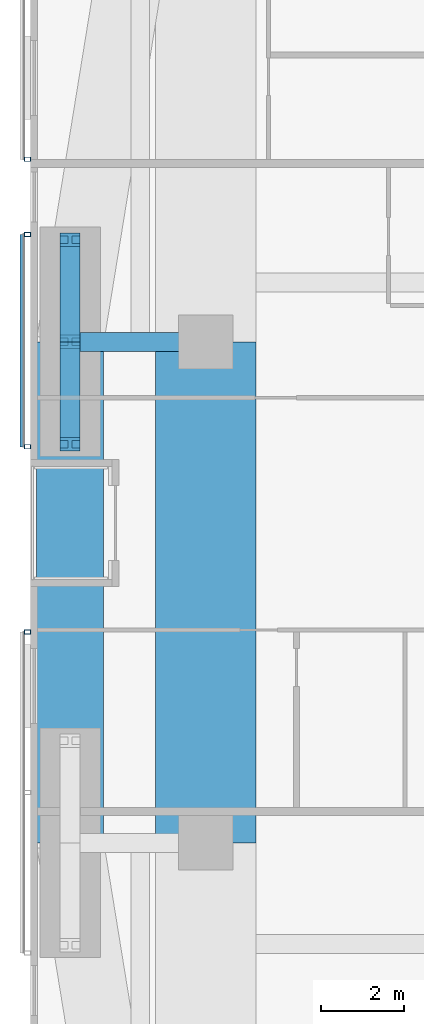
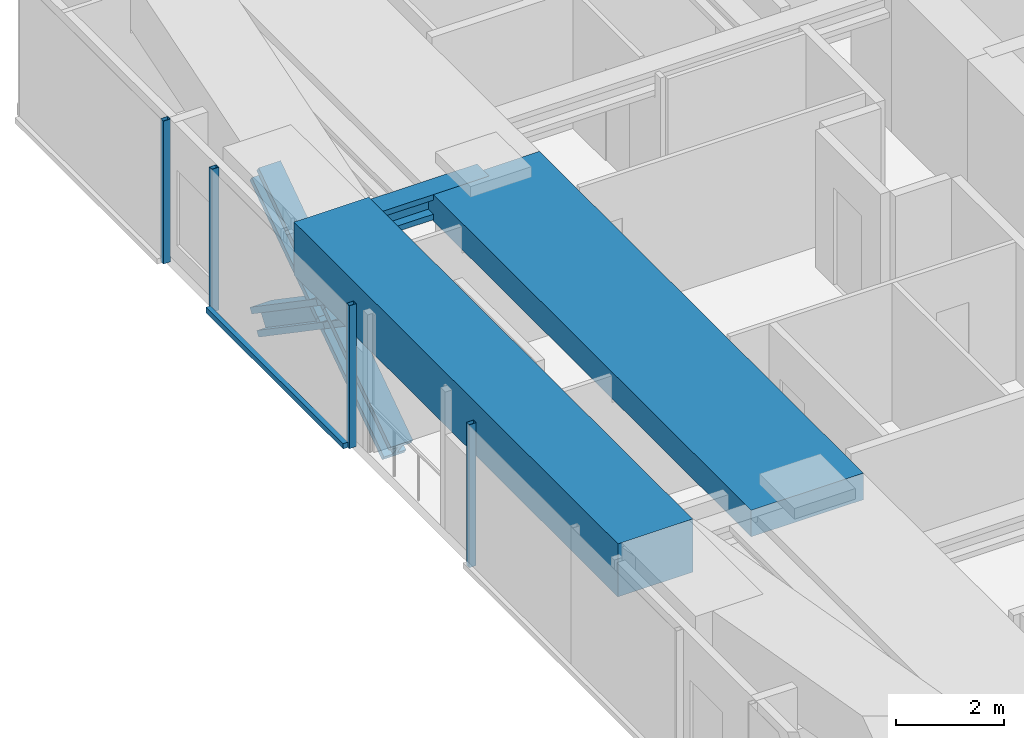
# One storey, part 7 of 25: 9 members, 3 beams, 3 elements without a shape of their own.
"""IFC4 building model written with IfcOpenShell, lengths in metres."""

from ifc_helpers import new_model, si_unit, direction, frame, origin, origin_2d, place, context, subcontext, project, spatial, rectangle, hollow_rectangle, i_section, extrude, material, material_profile, profile_set, type_object, element, aggregate, save


model = new_model("IFC4")

# Units and contexts
model_context = context("Model", 3, precision=1e-05, world=origin(), true_north=direction((0.0, 1.0)))
body_context = subcontext(model_context, "Body", "Model", "MODEL_VIEW")
ifc_project = project(units=[si_unit("LENGTHUNIT", "METRE"), si_unit("AREAUNIT", "SQUARE_METRE"), si_unit("VOLUMEUNIT", "CUBIC_METRE"), si_unit("PLANEANGLEUNIT", "RADIAN"), si_unit("MASSUNIT", "GRAM", prefix="KILO")], contexts=[model_context])

# Site, building, storey
site_placement = place(None, origin())
site = spatial("IfcSite", under=ifc_project, at=site_placement, CompositionType="ELEMENT")
building_placement = place(site_placement, origin())
building = spatial("IfcBuilding", under=site, at=building_placement, Name="Jalousie Tower", CompositionType="ELEMENT")
storey_placement = place(building_placement, frame((0.0, 0.0, 98.14990234375)))
storey = spatial("IfcBuildingStorey", under=building, at=storey_placement, Name="L26", CompositionType="ELEMENT", Elevation=98.14990234375)

# Beam
ifc_material_1 = material(Name="Steel ASTM A992 Grade 50", Category="steel")
ifc_material_profile_1 = material_profile(ifc_material_1, i_section(OverallWidth=0.45458984375, OverallDepth=0.569091796875, WebThickness=0.077880859375, FlangeThickness=0.124755859375, at=origin_2d()), Name="W14X730")
ifc_profile_set_1 = profile_set([ifc_material_profile_1], Name="Steel ASTM A992 Grade 50")
beam_type_1 = type_object("IfcBeamType", Name="LEAN COLLECTOR W14X730", PredefinedType="BEAM", material=ifc_profile_set_1)
beam_1_placement = place(storey_placement, frame((6.949951171875, 25.0, 2.82568359375), z_axis=(1.0, 0.0, 0.0), x_axis=(0.0, 1.0, 0.0)))
element("IfcBeam", 1, at=beam_1_placement, inside=storey, type_object=beam_type_1, Name="Lean collector under L27", PredefinedType="BEAM", context=body_context, shape_type="SweptSolid", body=[
    extrude(i_section(OverallWidth=0.45458984375, OverallDepth=0.569091796875, WebThickness=0.077880859375, FlangeThickness=0.124755859375, at=origin_2d()), origin(), (0.0, 0.0, 1.0), 3.25),
])

# Members
ifc_material_2 = material(Name="Steel ASTM A992 Grade 50", Category="steel")
ifc_material_profile_2 = material_profile(ifc_material_2, i_section(OverallWidth=0.472412109375, OverallDepth=0.5791015625, WebThickness=0.094970703125, FlangeThickness=0.1298828125, at=origin_2d()), Name="W14X808")
ifc_profile_set_2 = profile_set([ifc_material_profile_2], Name="Steel ASTM A992 Grade 50")
member_type_1 = type_object("IfcMemberType", Name="PERIMETER BRACE W14X808", PredefinedType="BRACE", material=ifc_profile_set_2)
for number, where, z_axis, x_axis, name in (
    (2, (6.949951171875, 22.550048828125, -0.599853515625), (0.0, 0.825500916831, 0.564400776321), (-1.0, 0.0, 0.0), "Perimeter brace 13 L26 part 1"),
    (3, (6.949951171875, 25.0, 1.0751953125), (0.0, 0.825539243753, 0.564344714713), (-1.0, 0.0, 0.0), "Perimeter brace 13 L26 part 2"),
    (4, (6.949951171875, 27.449951171875, -0.599853515625), (0.0, -0.825500916831, 0.564400776321), (1.0, 0.0, 0.0), "Perimeter brace 13 L26 part 3"),
    (5, (6.949951171875, 25.0, 1.0751953125), (0.0, -0.825539243753, 0.564344714713), (1.0, 0.0, 0.0), "Perimeter brace 13 L26 part 4"),
):
    element("IfcMember", number, at=place(storey_placement, frame(where, z_axis=z_axis, x_axis=x_axis)), inside=storey, type_object=member_type_1, Name=name, PredefinedType="BRACE", context=body_context, shape_type="SweptSolid", body=[
        extrude(i_section(OverallWidth=0.472412109375, OverallDepth=0.5791015625, WebThickness=0.094970703125, FlangeThickness=0.1298828125, at=origin_2d()), origin(), (0.0, 0.0, 1.0), 2.9677734375),
    ])

# Beams
ifc_material_3 = material(Name="Concrete f'c 40 MPa", Category="concrete")
ifc_material_profile_3 = material_profile(ifc_material_3, rectangle(XDim=1.60009765625, YDim=1.199951171875, at=origin_2d()), Name="RC 1600x1200")
ifc_profile_set_3 = profile_set([ifc_material_profile_3], Name="Concrete f'c 40 MPa")
beam_type_2 = type_object("IfcBeamType", Name="RC BEAM 1600x1200", PredefinedType="BEAM", material=ifc_profile_set_3)
beam_2_placement = place(storey_placement, frame((6.949951171875, 25.0, 2.75), z_axis=(0.0, -1.0, 0.0), x_axis=(1.0, 0.0, 0.0)))
element("IfcBeam", 6, at=beam_2_placement, inside=storey, type_object=beam_type_2, Name="Edge band beam 13-14 under L27", PredefinedType="BEAM", context=body_context, shape_type="SweptSolid", body=[
    extrude(rectangle(XDim=1.60009765625, YDim=1.199951171875, at=origin_2d()), origin(), (0.0, 0.0, 1.0), 12.0),
])
ifc_material_4 = material(Name="Concrete f'c 40 MPa", Category="concrete")
ifc_material_profile_4 = material_profile(ifc_material_4, rectangle(XDim=2.39990234375, YDim=0.60009765625, at=origin_2d()), Name="RC 2400x600")
ifc_profile_set_4 = profile_set([ifc_material_profile_4], Name="Concrete f'c 40 MPa")
beam_type_3 = type_object("IfcBeamType", Name="RC BEAM 2400x600", PredefinedType="BEAM", material=ifc_profile_set_4)
beam_3_placement = place(storey_placement, frame((10.199951171875, 13.0, 2.81005859375), z_axis=(0.0, 1.0, 0.0), x_axis=(-1.0, 0.0, 0.0)))
element("IfcBeam", 7, at=beam_3_placement, inside=storey, type_object=beam_type_3, Name="Floor band beam under L27", PredefinedType="BEAM", context=body_context, shape_type="SweptSolid", body=[
    extrude(rectangle(XDim=2.39990234375, YDim=0.60009765625, at=origin_2d()), origin(), (0.0, 0.0, 1.0), 12.0),
])

# Curtain wall, member
ifc_material_5 = material(Name="Perforated aluminium sheet", Category="aluminium")
curtain_wall_type = type_object("IfcCurtainWallType", Name="SOLAR SCREEN SS-1", PredefinedType="USERDEFINED", material=ifc_material_5)
curtain_wall_1_placement = place(storey_placement, origin())
curtain_wall_1 = element("IfcCurtainWall", 8, at=curtain_wall_1_placement, inside=storey, type_object=curtain_wall_type, Name="Solar screen L26", ObjectType="SOLAR SCREEN SS-1", PredefinedType="USERDEFINED")
ifc_material_6 = material(Name="Steel ASTM A500 Grade C", Category="steel")
ifc_material_profile_5 = material_profile(ifc_material_6, hollow_rectangle(XDim=0.1015625, YDim=0.15234375, WallThickness=0.00634765625, at=origin_2d()), Name="HSS6X4X1/4")
ifc_profile_set_5 = profile_set([ifc_material_profile_5], Name="Steel ASTM A500 Grade C")
member_type_2 = type_object("IfcMemberType", Name="SOLAR SCREEN SS-1 MULLION", PredefinedType="MULLION", material=ifc_profile_set_5)
member_1_placement = place(storey_placement, frame((5.9287109375, 29.375, -0.119873046875), z_axis=(0.0, 0.0, 1.0), x_axis=(0.0, -1.0, 0.0)))
member_1 = element("IfcMember", 9, at=member_1_placement, type_object=member_type_2, Name="SS1 post 2", PredefinedType="MULLION", context=body_context, shape_type="SweptSolid", body=[
    extrude(hollow_rectangle(XDim=0.1015625, YDim=0.15234375, WallThickness=0.00634765625, at=origin_2d()), origin(), (0.0, 0.0, 1.0), 3.22998046875),
])
aggregate(curtain_wall_1, [member_1])

# Curtain wall, members
curtain_wall_2_placement = place(storey_placement, origin())
curtain_wall_2 = element("IfcCurtainWall", 10, at=curtain_wall_2_placement, inside=storey, type_object=curtain_wall_type, Name="Solar screen L26", ObjectType="SOLAR SCREEN SS-1", PredefinedType="USERDEFINED")
member_2_placement = place(storey_placement, frame((5.9287109375, 27.574951171875, -0.119873046875), z_axis=(0.0, 0.0, 1.0), x_axis=(0.0, -1.0, 0.0)))
member_2 = element("IfcMember", 11, at=member_2_placement, type_object=member_type_2, Name="SS1 post 1", PredefinedType="MULLION", context=body_context, shape_type="SweptSolid", body=[
    extrude(hollow_rectangle(XDim=0.1015625, YDim=0.15234375, WallThickness=0.00634765625, at=origin_2d()), origin(), (0.0, 0.0, 1.0), 3.22998046875),
])
member_3_placement = place(storey_placement, frame((5.9287109375, 22.487548828125, -0.119873046875), z_axis=(0.0, 0.0, 1.0), x_axis=(0.0, -1.0, 0.0)))
member_3 = element("IfcMember", 12, at=member_3_placement, type_object=member_type_2, Name="SS1 post 2", PredefinedType="MULLION", context=body_context, shape_type="SweptSolid", body=[
    extrude(hollow_rectangle(XDim=0.1015625, YDim=0.15234375, WallThickness=0.00634765625, at=origin_2d()), origin(), (0.0, 0.0, 1.0), 3.22998046875),
])

# Curtain wall, member
curtain_wall_3_placement = place(storey_placement, origin())
curtain_wall_3 = element("IfcCurtainWall", 13, at=curtain_wall_3_placement, inside=storey, type_object=curtain_wall_type, Name="Solar screen L26", ObjectType="SOLAR SCREEN SS-1", PredefinedType="USERDEFINED")
member_4_placement = place(storey_placement, frame((5.9287109375, 18.050048828125, -0.119873046875), z_axis=(0.0, 0.0, 1.0), x_axis=(0.0, -1.0, 0.0)))
member_4 = element("IfcMember", 14, at=member_4_placement, type_object=member_type_2, Name="SS1 post 1", PredefinedType="MULLION", context=body_context, shape_type="SweptSolid", body=[
    extrude(hollow_rectangle(XDim=0.1015625, YDim=0.15234375, WallThickness=0.00634765625, at=origin_2d()), origin(), (0.0, 0.0, 1.0), 3.22998046875),
])
aggregate(curtain_wall_3, [member_4])

# Member
ifc_material_7 = material(Name="Extruded aluminium screen rail", Category="aluminium")
ifc_material_profile_6 = material_profile(ifc_material_7, rectangle(XDim=0.1015625, YDim=0.1201171875, at=origin_2d()), Name="RAIL 102x120")
ifc_profile_set_6 = profile_set([ifc_material_profile_6], Name="Extruded aluminium screen rail")
member_type_3 = type_object("IfcMemberType", Name="SOLAR SCREEN SS-1 TRANSOM", PredefinedType="USERDEFINED", material=ifc_profile_set_6)
member_5_placement = place(storey_placement, frame((5.8017578125, 27.574951171875, -0.059814453125), z_axis=(0.0, -1.0, 0.0), x_axis=(1.0, 0.0, 0.0)))
member_5 = element("IfcMember", 15, at=member_5_placement, type_object=member_type_3, Name="SS1 rail", ObjectType="TRANSOM", PredefinedType="USERDEFINED", context=body_context, shape_type="SweptSolid", body=[
    extrude(rectangle(XDim=0.1015625, YDim=0.1201171875, at=origin_2d()), origin(), (0.0, 0.0, 1.0), 5.08740234375),
])

aggregate(curtain_wall_2, [member_2, member_3, member_5])

save(model, "model.ifc")
